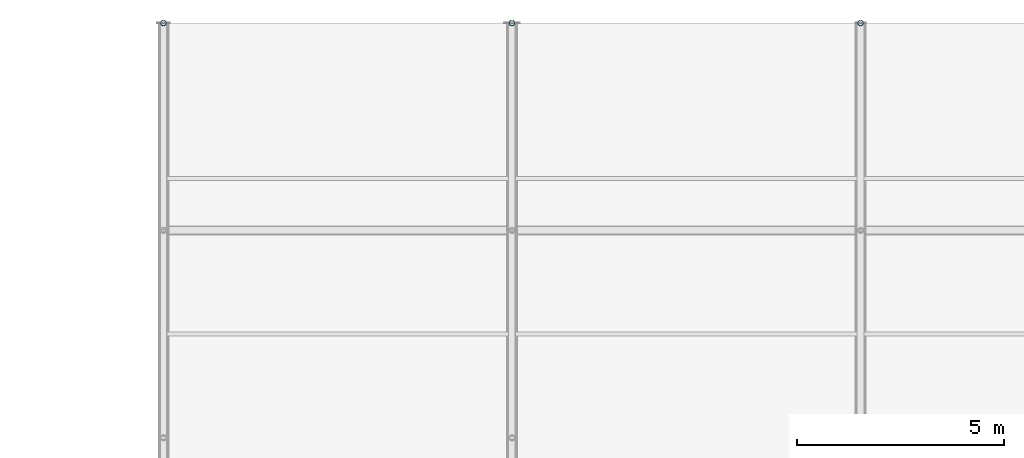
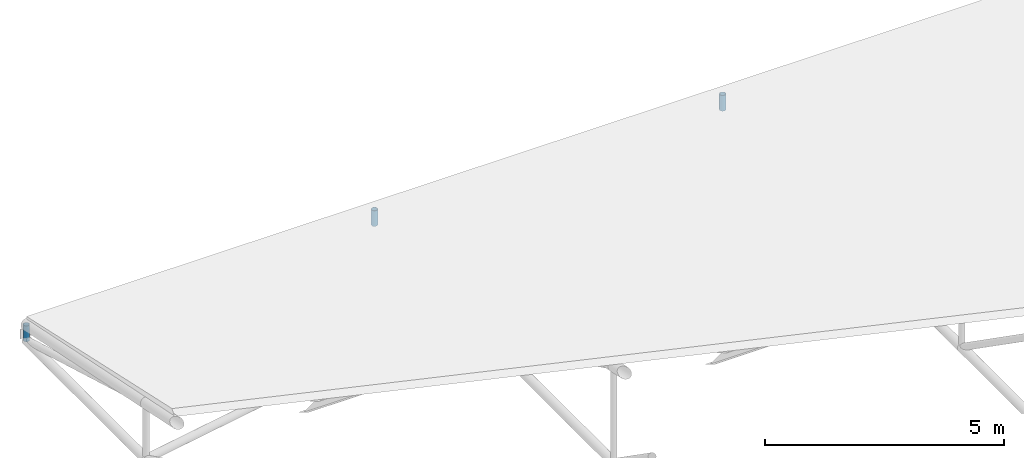
# One storey, part 148 of 194: 3 members.
"""IFC4 building model written with IfcOpenShell, lengths in metres."""

from ifc_helpers import new_model, si_unit, direction, frame, origin, origin_2d, place, context, subcontext, project, spatial, hollow_circle, extrude, material, material_profile, profile_set, type_object, element, save


model = new_model("IFC4")

# Units and contexts
model_context = context("Model", 3, precision=1e-05, world=origin(), true_north=direction((0.0, 1.0)))
body_context = subcontext(model_context, "Body", "Model", "MODEL_VIEW")
ifc_project = project(units=[si_unit("LENGTHUNIT", "METRE"), si_unit("AREAUNIT", "SQUARE_METRE"), si_unit("VOLUMEUNIT", "CUBIC_METRE"), si_unit("PLANEANGLEUNIT", "RADIAN"), si_unit("MASSUNIT", "GRAM", prefix="KILO")], contexts=[model_context])

# Site, building, storey
site_placement = place(None, origin())
site = spatial("IfcSite", under=ifc_project, at=site_placement, CompositionType="ELEMENT")
building_placement = place(site_placement, origin())
building = spatial("IfcBuilding", under=site, at=building_placement, Name="Kazenagashi Tramway Depot", CompositionType="ELEMENT")
storey_placement = place(building_placement, frame((0.0, 0.0, 23.7)))
storey = spatial("IfcBuildingStorey", under=building, at=storey_placement, Name="ROOF", CompositionType="ELEMENT", Elevation=23.7)

# Members
ifc_material = material(Name="Steel STK490", Category="steel")
ifc_material_profile = material_profile(ifc_material, hollow_circle(Radius=0.0699, WallThickness=0.0066, at=origin_2d()), Name="CHS-139.8x6.6")
ifc_profile_set = profile_set([ifc_material_profile], Name="Steel STK490")
member_type = type_object("IfcMemberType", Name="TS-02", PredefinedType="STRUT", material=ifc_profile_set)
for number, where, z_axis, x_axis, name in (
    (1, (44.8, 130.0, -14.1), (0.0, 0.0, 1.0), (1.0, 0.0, 0.0), "Tubular Space Frame TS-02 MEM-0055"),
    (2, (53.2, 130.0, -14.1), (0.0, 0.0, 1.0), (1.0, 0.0, 0.0), "Tubular Space Frame TS-02 MEM-0116"),
    (3, (61.6, 130.0, -14.1), (0.0, 0.0, 1.0), (1.0, 0.0, 0.0), "Tubular Space Frame TS-02 MEM-0177"),
):
    element("IfcMember", number, at=place(storey_placement, frame(where, z_axis=z_axis, x_axis=x_axis)), inside=storey, type_object=member_type, Name=name, PredefinedType="STRUT", context=body_context, shape_type="SweptSolid", body=[
        extrude(hollow_circle(Radius=0.0699, WallThickness=0.0066, at=origin_2d()), origin(), (0.0, 0.0, 1.0), 0.4),
    ])

save(model, "model.ifc")
